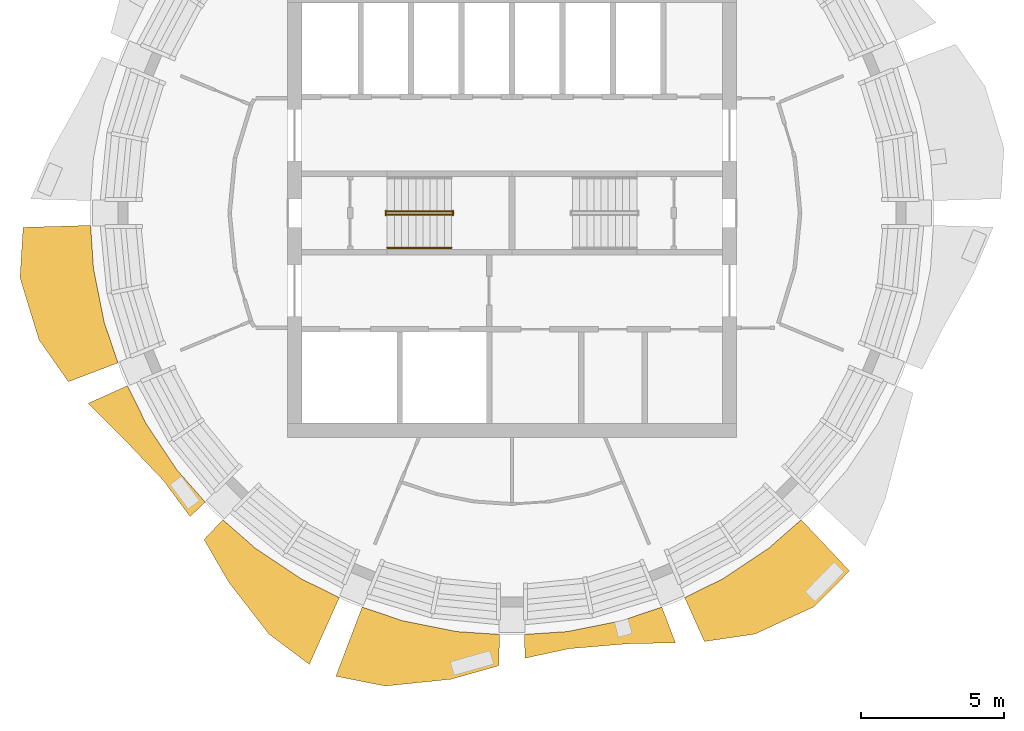
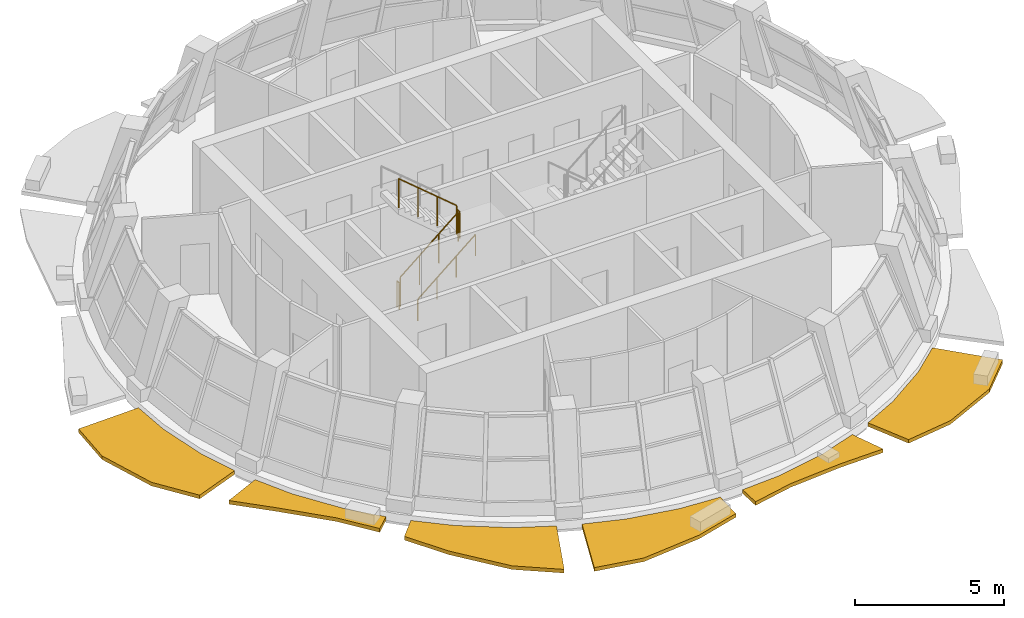
# One storey, part 9 of 12: 6 shading devices, 5 railings.
"""IFC4 building model written with IfcOpenShell, lengths in metres."""

from ifc_helpers import new_model, si_unit, direction, frame, origin, origin_2d, place, context, subcontext, project, spatial, polyline, circle, outline, extrude, material, type_object, element, save


model = new_model("IFC4")

# Units and contexts
model_context = context("Model", 3, precision=1e-05, world=origin(), true_north=direction((0.0, 1.0)))
body_context = subcontext(model_context, "Body", "Model", "MODEL_VIEW")
ifc_project = project(units=[si_unit("LENGTHUNIT", "METRE"), si_unit("AREAUNIT", "SQUARE_METRE"), si_unit("VOLUMEUNIT", "CUBIC_METRE"), si_unit("PLANEANGLEUNIT", "RADIAN"), si_unit("MASSUNIT", "GRAM", prefix="KILO")], contexts=[model_context])

# Site, building, storey
site_placement = place(None, origin())
site = spatial("IfcSite", under=ifc_project, at=site_placement, CompositionType="ELEMENT")
building_placement = place(site_placement, origin())
building = spatial("IfcBuilding", under=site, at=building_placement, Name="Polderwave Tower", CompositionType="ELEMENT")
storey_placement = place(building_placement, frame((0.0, 0.0, 231.199951171875)))
storey = spatial("IfcBuildingStorey", under=building, at=storey_placement, Name="L63", CompositionType="ELEMENT", Elevation=231.199951171875)

# Railings
ifc_material_1 = material(Name="Stainless steel", Category="steel")
railing_type_1 = type_object("IfcRailingType", Name="Stair guard 1100", PredefinedType="GUARDRAIL", material=ifc_material_1)
railing_1_placement = place(storey_placement, frame((-4.3740234375, -0.051025390625, 0.08984375)))
element("IfcRailing", 1, at=railing_1_placement, inside=storey, type_object=railing_type_1, Name="L63 ST-A stair guard 1", PredefinedType="GUARDRAIL", context=body_context, shape_type="SweptSolid", body=[
    extrude(circle(Radius=0.02392578125, at=origin_2d()), frame((0.0, 0.0, 1.1962890625), z_axis=(0.765681950559, 0.0, 0.643219364283), x_axis=(0.0, 1.0, 0.0)), (0.0, 0.0, 1.0), 2.9384765625),
    extrude(circle(Radius=0.02392578125, at=origin_2d()), origin(), (0.0, 0.0, 1.0), 1.172119140625),
    extrude(circle(Radius=0.02392578125, at=origin_2d()), frame((0.75, 0.0, 0.630126953125)), (0.0, 0.0, 1.0), 1.172119140625),
    extrude(circle(Radius=0.02392578125, at=origin_2d()), frame((1.5, 0.0, 1.260009765625)), (0.0, 0.0, 1.0), 1.172119140625),
    extrude(circle(Radius=0.02392578125, at=origin_2d()), frame((2.25, 0.0, 1.89013671875)), (0.0, 0.0, 1.0), 1.172119140625),
])
railing_2_placement = place(storey_placement, frame((-2.073974609375, -0.074951171875, 2.10009765625)))
element("IfcRailing", 2, at=railing_2_placement, inside=storey, type_object=railing_type_1, Name="L63 ST-A stair guard 2", PredefinedType="GUARDRAIL", context=body_context, shape_type="SweptSolid", body=[
    extrude(circle(Radius=0.02392578125, at=origin_2d()), frame((0.0, 0.0, 1.076171875), z_axis=(0.0, 1.0, 0.0), x_axis=(-1.0, 0.0, 0.0)), (0.0, 0.0, 1.0), 0.14990234375),
    extrude(circle(Radius=0.02099609375, at=origin_2d()), origin(), (0.0, 0.0, 1.0), 1.052001953125),
    extrude(circle(Radius=0.02099609375, at=origin_2d()), frame((0.0, 0.14990234375, 0.0)), (0.0, 0.0, 1.0), 1.052001953125),
])
railing_3_placement = place(storey_placement, frame((-2.1240234375, 0.051025390625, 2.18994140625)))
element("IfcRailing", 3, at=railing_3_placement, inside=storey, type_object=railing_type_1, Name="L63 ST-A stair guard 3", PredefinedType="GUARDRAIL", context=body_context, shape_type="SweptSolid", body=[
    extrude(circle(Radius=0.02392578125, at=origin_2d()), frame((0.0, 0.0, 1.1962890625), z_axis=(-0.765722869108, 0.0, 0.643170652101), x_axis=(0.0, -1.0, 0.0)), (0.0, 0.0, 1.0), 2.9384765625),
    extrude(circle(Radius=0.02392578125, at=origin_2d()), origin(), (0.0, 0.0, 1.0), 1.172119140625),
    extrude(circle(Radius=0.02392578125, at=origin_2d()), frame((-0.75, 0.0, 0.6298828125)), (0.0, 0.0, 1.0), 1.172119140625),
    extrude(circle(Radius=0.02392578125, at=origin_2d()), frame((-1.5, 0.0, 1.260009765625)), (0.0, 0.0, 1.0), 1.172119140625),
    extrude(circle(Radius=0.02392578125, at=origin_2d()), frame((-2.25, 0.0, 1.889892578125)), (0.0, 0.0, 1.0), 1.172119140625),
])
railing_4_placement = place(storey_placement, frame((-4.424072265625, -0.074951171875, 0.0)))
element("IfcRailing", 4, at=railing_4_placement, inside=storey, type_object=railing_type_1, Name="L63 ST-A stair guard 4", PredefinedType="GUARDRAIL", context=body_context, shape_type="SweptSolid", body=[
    extrude(circle(Radius=0.02392578125, at=origin_2d()), frame((0.0, 0.0, 1.076171875), z_axis=(0.0, 1.0, 0.0), x_axis=(-1.0, 0.0, 0.0)), (0.0, 0.0, 1.0), 0.14990234375),
    extrude(circle(Radius=0.02099609375, at=origin_2d()), origin(), (0.0, 0.0, 1.0), 1.052001953125),
    extrude(circle(Radius=0.02099609375, at=origin_2d()), frame((0.0, 0.14990234375, 0.0)), (0.0, 0.0, 1.0), 1.052001953125),
])
railing_type_2 = type_object("IfcRailingType", Name="Stair handrail 900", PredefinedType="HANDRAIL", material=ifc_material_1)
railing_5_placement = place(storey_placement, frame((-4.3740234375, -1.22509765625, 0.2099609375)))
element("IfcRailing", 5, at=railing_5_placement, inside=storey, type_object=railing_type_2, Name="L63 ST-A stair handrail 1", PredefinedType="HANDRAIL", context=body_context, shape_type="SweptSolid", body=[
    extrude(circle(Radius=0.02392578125, at=origin_2d()), frame((0.0, 0.0, 0.8759765625), z_axis=(0.765681950559, 0.0, 0.643219364283), x_axis=(0.0, 1.0, 0.0)), (0.0, 0.0, 1.0), 2.9384765625),
    extrude(circle(Radius=0.02099609375, at=origin_2d()), origin(), (0.0, 0.0, 1.0), 0.851806640625),
    extrude(circle(Radius=0.02099609375, at=origin_2d()), frame((0.75, 0.0, 0.630126953125)), (0.0, 0.0, 1.0), 0.851806640625),
    extrude(circle(Radius=0.02099609375, at=origin_2d()), frame((1.5, 0.0, 1.260009765625)), (0.0, 0.0, 1.0), 0.851806640625),
    extrude(circle(Radius=0.02099609375, at=origin_2d()), frame((2.25, 0.0, 1.89013671875)), (0.0, 0.0, 1.0), 0.851806640625),
])

# Shading devices
ifc_material_2 = material(Name="Terracotta", Category="masonry")
shading_device_type = type_object("IfcShadingDeviceType", Name="Terracotta sunshade band", PredefinedType="USERDEFINED", material=ifc_material_2)
shading_device_1_placement = place(storey_placement, frame((0.0, 0.0, -0.349853515625)))
element("IfcShadingDevice", 6, at=shading_device_1_placement, inside=storey, type_object=shading_device_type, Name="Sunshade band L63 9", ObjectType="SUNSHADE", PredefinedType="USERDEFINED", context=body_context, shape_type="SweptSolid", body=[
    extrude(outline(polyline([(-14.771484375, -0.43310546875), (-14.67333984375, -1.931884765625), (-14.295654296875, -3.83056640625), (-13.81298828125, -5.252685546875), (-15.552001953125, -5.9140625), (-16.581298828125, -4.443115234375), (-17.247314453125, -2.270751953125), (-17.13720703125, -0.50244140625), (-14.771484375, -0.43310546875)])), origin(), (0.0, 0.0, 1.0), 0.14990234375),
])
shading_device_2_placement = place(storey_placement, frame((0.0, 0.0, -0.349853515625)))
element("IfcShadingDevice", 7, at=shading_device_2_placement, inside=storey, type_object=shading_device_type, Name="Sunshade band L63 10", ObjectType="SUNSHADE", PredefinedType="USERDEFINED", context=body_context, shape_type="SweptSolid", body=[
    extrude(outline(polyline([(-13.4814453125, -6.052978515625), (-12.817138671875, -7.39990234375), (-11.74169921875, -9.009765625), (-10.75146484375, -10.138916015625), (-11.284912109375, -10.641845703125), (-12.220703125, -9.377197265625), (-13.646484375, -7.878662109375), (-14.860595703125, -6.67236328125), (-13.4814453125, -6.052978515625)])), origin(), (0.0, 0.0, 1.0), 0.14990234375),
])
shading_device_3_placement = place(storey_placement, frame((0.0, 0.0, -0.349853515625)))
element("IfcShadingDevice", 8, at=shading_device_3_placement, inside=storey, type_object=shading_device_type, Name="Sunshade band L63 11", ObjectType="SUNSHADE", PredefinedType="USERDEFINED", context=body_context, shape_type="SweptSolid", body=[
    extrude(outline(polyline([(-10.138916015625, -10.75146484375), (-9.009765625, -11.74169921875), (-7.39990234375, -12.817138671875), (-6.052978515625, -13.4814453125), (-7.103759765625, -15.82177734375), (-8.521240234375, -14.75927734375), (-9.930419921875, -12.941650390625), (-10.796142578125, -11.4482421875), (-10.138916015625, -10.75146484375)])), origin(), (0.0, 0.0, 1.0), 0.14990234375),
])
shading_device_4_placement = place(storey_placement, frame((0.0, 0.0, -0.349853515625)))
element("IfcShadingDevice", 9, at=shading_device_4_placement, inside=storey, type_object=shading_device_type, Name="Sunshade band L63 12", ObjectType="SUNSHADE", PredefinedType="USERDEFINED", context=body_context, shape_type="SweptSolid", body=[
    extrude(outline(polyline([(-5.252685546875, -13.81298828125), (-3.83056640625, -14.295654296875), (-1.931884765625, -14.67333984375), (-0.43310546875, -14.771484375), (-0.46533203125, -15.87255859375), (-2.152099609375, -16.346435546875), (-4.443115234375, -16.581298828125), (-6.17529296875, -16.239501953125), (-5.252685546875, -13.81298828125)])), origin(), (0.0, 0.0, 1.0), 0.14990234375),
])
shading_device_5_placement = place(storey_placement, frame((0.0, 0.0, -0.349853515625)))
element("IfcShadingDevice", 10, at=shading_device_5_placement, inside=storey, type_object=shading_device_type, Name="Sunshade band L63 13", ObjectType="SUNSHADE", PredefinedType="USERDEFINED", context=body_context, shape_type="SweptSolid", body=[
    extrude(outline(polyline([(0.43310546875, -14.771484375), (1.931884765625, -14.67333984375), (3.83056640625, -14.295654296875), (5.252685546875, -13.81298828125), (5.728759765625, -15.06494140625), (4.04638671875, -15.10107421875), (2.010498046875, -15.272216796875), (0.45751953125, -15.6044921875), (0.43310546875, -14.771484375)])), origin(), (0.0, 0.0, 1.0), 0.14990234375),
])
shading_device_6_placement = place(storey_placement, frame((0.0, 0.0, -0.349853515625)))
element("IfcShadingDevice", 11, at=shading_device_6_placement, inside=storey, type_object=shading_device_type, Name="Sunshade band L63 14", ObjectType="SUNSHADE", PredefinedType="USERDEFINED", context=body_context, shape_type="SweptSolid", body=[
    extrude(outline(polyline([(6.052978515625, -13.4814453125), (7.39990234375, -12.817138671875), (9.009765625, -11.74169921875), (10.138916015625, -10.75146484375), (11.831298828125, -12.546142578125), (10.590087890625, -13.80126953125), (8.521240234375, -14.75927734375), (6.744384765625, -15.021484375), (6.052978515625, -13.4814453125)])), origin(), (0.0, 0.0, 1.0), 0.14990234375),
])

save(model, "model.ifc")
